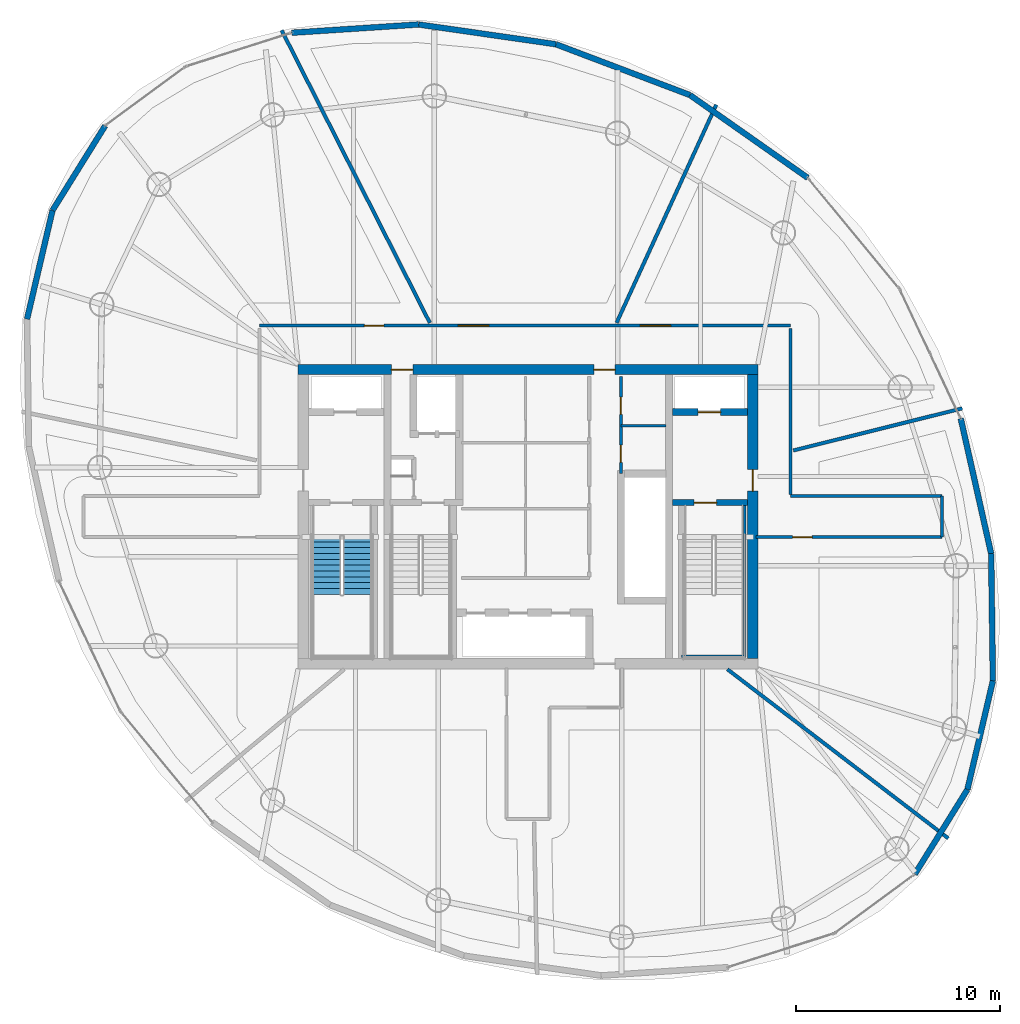
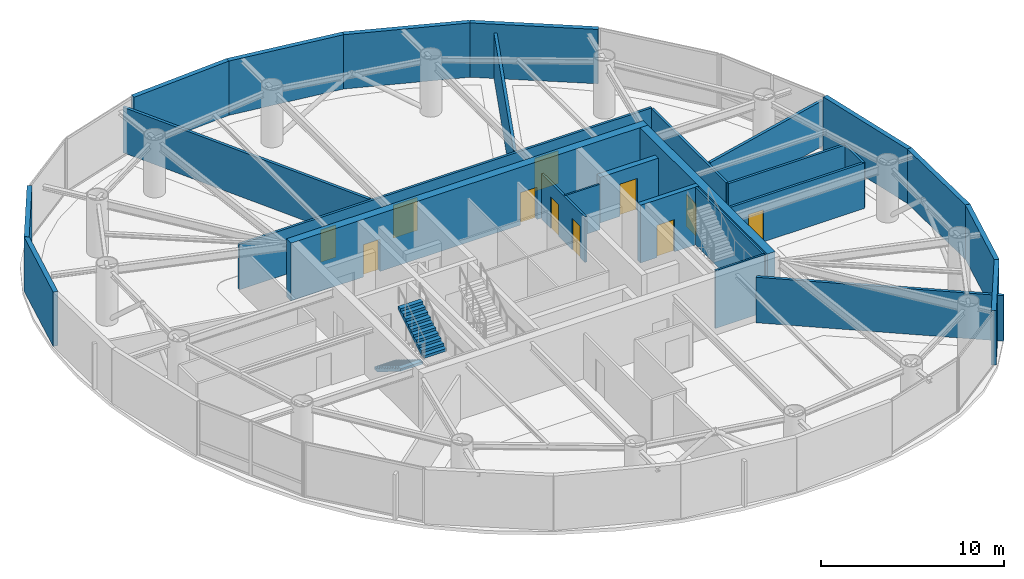
# One storey, part 15 of 20: 27 walls, 11 doors, 2 stair flights, 11 openings, 1 element without a shape of its own.
"""IFC4 building model written with IfcOpenShell, lengths in metres."""

from ifc_helpers import new_model, si_unit, direction, frame, frame_2d, origin, place, context, subcontext, project, spatial, polyline, rectangle, outline, extrude, material, layer, layer_set, type_object, element, fill, aggregate, save


model = new_model("IFC4")

# Units and contexts
model_context = context("Model", 3, precision=1e-05, world=origin(), true_north=direction((0.0, 1.0)))
body_context = subcontext(model_context, "Body", "Model", "MODEL_VIEW")
ifc_project = project(units=[si_unit("LENGTHUNIT", "METRE"), si_unit("AREAUNIT", "SQUARE_METRE"), si_unit("VOLUMEUNIT", "CUBIC_METRE"), si_unit("PLANEANGLEUNIT", "RADIAN"), si_unit("MASSUNIT", "GRAM", prefix="KILO")], contexts=[model_context])

# Site, building, storey
site_placement = place(None, origin())
site = spatial("IfcSite", under=ifc_project, at=site_placement, CompositionType="ELEMENT")
building_placement = place(site_placement, origin())
building = spatial("IfcBuilding", under=site, at=building_placement, Name="Bramvorn Convention Spire", CompositionType="ELEMENT")
storey_placement = place(building_placement, frame((0.0, 0.0, 202.0)))
storey = spatial("IfcBuildingStorey", under=building, at=storey_placement, Name="L51", CompositionType="ELEMENT", Elevation=202.0)

# Wall, openings, doors
ifc_material_1 = material(Name="Concrete C50/60", Category="concrete")
ifc_layer_1 = layer(ifc_material_1, 0.5)
ifc_layer_set_1 = layer_set([ifc_layer_1], Name="Concrete C50/60 - WL-CORE-500")
wall_type_1 = type_object("IfcWallType", Name="WL-CORE-500", PredefinedType="SHEAR", material=ifc_layer_set_1)
wall_1_placement = place(storey_placement, frame((26.75, 33.199951171875, 0.0), z_axis=(0.0, 0.0, 1.0), x_axis=(1.0, 0.0, 0.0)))
wall_1 = element("IfcWall", 1, at=wall_1_placement, inside=storey, type_object=wall_type_1, Name="L51 North RC core shear wall", PredefinedType="SHEAR", context=body_context, shape_type="SweptSolid", body=[
    extrude(rectangle(XDim=22.5, YDim=0.5, at=frame_2d((11.25, 0.0))), origin(), (0.0, 0.0, 1.0), 3.85009765625),
])
opening_1_placement = place(wall_1_placement, frame((4.570068359375, 0.0, 0.0)))
opening_1 = element("IfcOpeningElement", 2, at=opening_1_placement, cuts=wall_1, Name="Opening DL-105", PredefinedType="OPENING", context=body_context, shape_type="SweptSolid", body=[
    extrude(rectangle(XDim=1.050048828125, YDim=2.14990234375, at=frame_2d((0.52490234375, 1.074951171875))), frame((0.0, 0.260009765625, 0.0), z_axis=(0.0, -1.0, 0.0), x_axis=(1.0, 0.0, 0.0)), (0.0, 0.0, 1.0), 0.52001953125),
])
opening_2_placement = place(wall_1_placement, frame((14.469970703125, 0.0, 0.0)))
opening_2 = element("IfcOpeningElement", 3, at=opening_2_placement, cuts=wall_1, Name="Opening DL-105", PredefinedType="OPENING", context=body_context, shape_type="SweptSolid", body=[
    extrude(rectangle(XDim=1.050048828125, YDim=2.14990234375, at=frame_2d((0.52490234375, 1.074951171875))), frame((0.0, 0.260009765625, 0.0), z_axis=(0.0, -1.0, 0.0), x_axis=(1.0, 0.0, 0.0)), (0.0, 0.0, 1.0), 0.52001953125),
])
ifc_material_2 = material(Name="Smoke-Sealed Fire Lobby Timber-Core Door", Category="wood")
door_type_1 = type_object("IfcDoorType", Name="DR-LOBBY-1050", OperationType="NOTDEFINED", PredefinedType="DOOR", material=ifc_material_2)
door_1_placement = place(opening_1_placement, origin())
door_1 = element("IfcDoor", 4, at=door_1_placement, inside=storey, type_object=door_type_1, Name="L51 Service & Stair ST3 Lobby north corridor door", OperationType="SINGLE_SWING_LEFT", OverallHeight=2.14990234375, OverallWidth=1.050048828125, PredefinedType="DOOR", context=body_context, shape_type="SweptSolid", body=[
    extrude(rectangle(XDim=1.050048828125, YDim=2.14990234375, at=frame_2d((0.52490234375, 1.074951171875))), frame((0.0, 0.02490234375, 0.0), z_axis=(0.0, -1.0, 0.0), x_axis=(1.0, 0.0, 0.0)), (0.0, 0.0, 1.0), 0.050048828125),
])
fill(opening_1, door_1)
door_2_placement = place(opening_2_placement, origin())
door_2 = element("IfcDoor", 5, at=door_2_placement, inside=storey, type_object=door_type_1, Name="L51 North Lift Lobby fire door", OperationType="SINGLE_SWING_LEFT", OverallHeight=2.14990234375, OverallWidth=1.050048828125, PredefinedType="DOOR", context=body_context, shape_type="SweptSolid", body=[
    extrude(rectangle(XDim=1.050048828125, YDim=2.14990234375, at=frame_2d((0.52490234375, 1.074951171875))), frame((0.0, 0.02490234375, 0.0), z_axis=(0.0, -1.0, 0.0), x_axis=(1.0, 0.0, 0.0)), (0.0, 0.0, 1.0), 0.050048828125),
])
fill(opening_2, door_2)

# Wall, opening, door
wall_2_placement = place(storey_placement, frame((49.0, 19.050048828125, 0.0), z_axis=(0.0, 0.0, 1.0), x_axis=(0.0, 1.0, 0.0)))
wall_2 = element("IfcWall", 6, at=wall_2_placement, inside=storey, type_object=wall_type_1, Name="L51 East RC core shear wall", PredefinedType="SHEAR", context=body_context, shape_type="SweptSolid", body=[
    extrude(rectangle(XDim=13.89990234375, YDim=0.5, at=frame_2d((6.949951171875, 0.0))), origin(), (0.0, 0.0, 1.0), 3.85009765625),
])
opening_3_placement = place(wall_2_placement, frame((8.199951171875, 0.0, 0.0)))
opening_3 = element("IfcOpeningElement", 7, at=opening_3_placement, cuts=wall_2, Name="Opening DL-105", PredefinedType="OPENING", context=body_context, shape_type="SweptSolid", body=[
    extrude(rectangle(XDim=1.050048828125, YDim=2.14990234375, at=frame_2d((0.52490234375, 1.074951171875))), frame((0.0, 0.260009765625, 0.0), z_axis=(0.0, -1.0, 0.0), x_axis=(1.0, 0.0, 0.0)), (0.0, 0.0, 1.0), 0.52001953125),
])
door_3_placement = place(opening_3_placement, origin())
door_3 = element("IfcDoor", 8, at=door_3_placement, inside=storey, type_object=door_type_1, Name="L51 East Firefighting Lobby corridor door", OperationType="SINGLE_SWING_LEFT", OverallHeight=2.14990234375, OverallWidth=1.050048828125, PredefinedType="DOOR", context=body_context, shape_type="SweptSolid", body=[
    extrude(rectangle(XDim=1.050048828125, YDim=2.14990234375, at=frame_2d((0.52490234375, 1.074951171875))), frame((0.0, 0.02490234375, 0.0), z_axis=(0.0, -1.0, 0.0), x_axis=(1.0, 0.0, 0.0)), (0.0, 0.0, 1.0), 0.050048828125),
])
fill(opening_3, door_3)

ifc_layer_2 = layer(ifc_material_1, 0.35009765625)
ifc_layer_set_2 = layer_set([ifc_layer_2], Name="Concrete C50/60 - WL-CORE-INT-350")
wall_type_2 = type_object("IfcWallType", Name="WL-CORE-INT-350", PredefinedType="SHEAR", material=ifc_layer_set_2)
wall_3_placement = place(storey_placement, frame((45.080078125, 31.1201171875, 0.0), z_axis=(0.0, 0.0, 1.0), x_axis=(1.0, 0.0, 0.0)))
wall_3 = element("IfcWall", 9, at=wall_3_placement, inside=storey, type_object=wall_type_2, Name="L51 FE2 shaft front wall", PredefinedType="SHEAR", context=body_context, shape_type="SweptSolid", body=[
    extrude(rectangle(XDim=3.669921875, YDim=0.35009765625, at=frame_2d((1.8349609375, 0.0))), origin(), (0.0, 0.0, 1.0), 3.034912109375),
])
opening_4_placement = place(wall_3_placement, frame((1.25, 0.0, 0.0)))
opening_4 = element("IfcOpeningElement", 10, at=opening_4_placement, cuts=wall_3, Name="Opening LD-110", PredefinedType="OPENING", context=body_context, shape_type="SweptSolid", body=[
    extrude(rectangle(XDim=1.10009765625, YDim=2.14990234375, at=frame_2d((0.550048828125, 1.074951171875))), frame((0.0, 0.18505859375, 0.0), z_axis=(0.0, -1.0, 0.0), x_axis=(1.0, 0.0, 0.0)), (0.0, 0.0, 1.0), 0.3701171875),
])
ifc_material_3 = material(Name="Firefighting & Service Lift Sliding Landing Door", Category="steel")
door_type_2 = type_object("IfcDoorType", Name="DR-LIFT-LD-1100", OperationType="NOTDEFINED", PredefinedType="DOOR", material=ifc_material_3)
door_4_placement = place(opening_4_placement, origin())
door_4 = element("IfcDoor", 11, at=door_4_placement, inside=storey, type_object=door_type_2, Name="L51 Lift FE2 Sliding Landing Door", OperationType="SLIDING_TO_LEFT", OverallHeight=2.14990234375, OverallWidth=1.10009765625, PredefinedType="DOOR", context=body_context, shape_type="SweptSolid", body=[
    extrude(rectangle(XDim=1.10009765625, YDim=2.14990234375, at=frame_2d((0.550048828125, 1.074951171875))), frame((0.0, 0.02490234375, 0.0), z_axis=(0.0, -1.0, 0.0), x_axis=(1.0, 0.0, 0.0)), (0.0, 0.0, 1.0), 0.050048828125),
])
fill(opening_4, door_4)

# Walls
ifc_material_4 = material(Name="Precast Concrete C40/50 with Bronze Terracotta Rainscreen", Category="masonry")
ifc_layer_3 = layer(ifc_material_4, 0.300048828125)
ifc_layer_set_3 = layer_set([ifc_layer_3], Name="Precast Concrete C40/50 with Bronze Terracotta Rainscreen - WL-EXT-BRONZE-300")
wall_type_3 = type_object("IfcWallType", Name="WL-EXT-BRONZE-300", PredefinedType="SOLIDWALL", material=ifc_layer_set_3)
wall_4_placement = place(storey_placement, frame((59.50634765625, 12.64111328125, 0.0), z_axis=(0.0, 0.0, 1.0), x_axis=(-0.528161516042, -0.849143929479, 0.0)))
element("IfcWall", 12, at=wall_4_placement, inside=storey, type_object=wall_type_3, Name="L51 expressed bronze Gothic lancet pier wall 01", PredefinedType="SOLIDWALL", context=body_context, shape_type="SweptSolid", body=[
    extrude(rectangle(XDim=4.876220703125, YDim=0.280029296875, at=frame_2d((2.43798828125, 0.0))), origin(), (0.0, 0.0, 1.0), 3.6201171875),
])
wall_5_placement = place(storey_placement, frame((60.75390625, 17.961181640625, 0.0), z_axis=(0.0, 0.0, 1.0), x_axis=(-0.228307127512, -0.97358916157, 0.0)))
element("IfcWall", 13, at=wall_5_placement, inside=storey, type_object=wall_type_3, Name="L51 expressed bronze Gothic lancet pier wall 02", PredefinedType="SOLIDWALL", context=body_context, shape_type="SweptSolid", body=[
    extrude(rectangle(XDim=5.46435546875, YDim=0.280029296875, at=frame_2d((2.732177734375, 0.0))), origin(), (0.0, 0.0, 1.0), 3.6201171875),
])
wall_6_placement = place(storey_placement, frame((60.670166015625, 24.187255859375, 0.0), z_axis=(0.0, 0.0, 1.0), x_axis=(0.013448709112, -0.999909562022, 0.0)))
element("IfcWall", 14, at=wall_6_placement, inside=storey, type_object=wall_type_3, Name="L51 expressed bronze Gothic lancet pier wall 03", PredefinedType="SOLIDWALL", context=body_context, shape_type="SweptSolid", body=[
    extrude(rectangle(XDim=6.2265625, YDim=0.280029296875, at=frame_2d((3.11328125, 0.0))), origin(), (0.0, 0.0, 1.0), 3.6201171875),
])
wall_7_placement = place(storey_placement, frame((59.178955078125, 30.805908203125, 0.0), z_axis=(0.0, 0.0, 1.0), x_axis=(0.219794754914, -0.975546137152, 0.0)))
element("IfcWall", 15, at=wall_7_placement, inside=storey, type_object=wall_type_3, Name="L51 expressed bronze Gothic lancet pier wall 04", PredefinedType="SOLIDWALL", context=body_context, shape_type="SweptSolid", body=[
    extrude(rectangle(XDim=6.78466796875, YDim=0.280029296875, at=frame_2d((3.392333984375, 0.0))), origin(), (0.0, 0.0, 1.0), 3.6201171875),
])
wall_8_placement = place(storey_placement, frame((45.928955078125, 46.63232421875, 0.0), z_axis=(0.0, 0.0, 1.0), x_axis=(0.818111945774, -0.575058991915, 0.0)))
element("IfcWall", 16, at=wall_8_placement, inside=storey, type_object=wall_type_3, Name="L51 expressed bronze Gothic lancet pier wall 07", PredefinedType="SOLIDWALL", context=body_context, shape_type="SweptSolid", body=[
    extrude(rectangle(XDim=7.04541015625, YDim=0.280029296875, at=frame_2d((3.522705078125, 0.0))), origin(), (0.0, 0.0, 1.0), 3.6201171875),
])
wall_9_placement = place(storey_placement, frame((39.366943359375, 49.119873046875, 0.0), z_axis=(0.0, 0.0, 1.0), x_axis=(0.935067918336, -0.354468599595, 0.0)))
element("IfcWall", 17, at=wall_9_placement, inside=storey, type_object=wall_type_3, Name="L51 expressed bronze Gothic lancet pier wall 08", PredefinedType="SOLIDWALL", context=body_context, shape_type="SweptSolid", body=[
    extrude(rectangle(XDim=7.017578125, YDim=0.280029296875, at=frame_2d((3.5087890625, 0.0))), origin(), (0.0, 0.0, 1.0), 3.6201171875),
])
wall_10_placement = place(storey_placement, frame((32.651611328125, 50.087158203125, 0.0), z_axis=(0.0, 0.0, 1.0), x_axis=(0.989784738796, -0.142569880575, 0.0)))
element("IfcWall", 18, at=wall_10_placement, inside=storey, type_object=wall_type_3, Name="L51 expressed bronze Gothic lancet pier wall 09", PredefinedType="SOLIDWALL", context=body_context, shape_type="SweptSolid", body=[
    extrude(rectangle(XDim=6.78466796875, YDim=0.280029296875, at=frame_2d((3.392333984375, 0.0))), origin(), (0.0, 0.0, 1.0), 3.6201171875),
])
wall_11_placement = place(storey_placement, frame((26.4384765625, 49.68212890625, 0.0), z_axis=(0.0, 0.0, 1.0), x_axis=(0.997881932346, 0.065051126793, 0.0)))
element("IfcWall", 19, at=wall_11_placement, inside=storey, type_object=wall_type_3, Name="L51 expressed bronze Gothic lancet pier wall 10", PredefinedType="SOLIDWALL", context=body_context, shape_type="SweptSolid", body=[
    extrude(rectangle(XDim=6.226318359375, YDim=0.280029296875, at=frame_2d((3.11328125, 0.0))), origin(), (0.0, 0.0, 1.0), 3.6201171875),
])
wall_12_placement = place(storey_placement, frame((14.731201171875, 40.988037109375, 0.0), z_axis=(0.0, 0.0, 1.0), x_axis=(0.528197615515, 0.849121474799, 0.0)))
element("IfcWall", 20, at=wall_12_placement, inside=storey, type_object=wall_type_3, Name="L51 expressed bronze Gothic lancet pier wall 13", PredefinedType="SOLIDWALL", context=body_context, shape_type="SweptSolid", body=[
    extrude(rectangle(XDim=4.87646484375, YDim=0.280029296875, at=frame_2d((2.438232421875, 0.0))), origin(), (0.0, 0.0, 1.0), 3.6201171875),
])
wall_13_placement = place(storey_placement, frame((13.483642578125, 35.667724609375, 0.0), z_axis=(0.0, 0.0, 1.0), x_axis=(0.228297196915, 0.973591490247, 0.0)))
element("IfcWall", 21, at=wall_13_placement, inside=storey, type_object=wall_type_3, Name="L51 expressed bronze Gothic lancet pier wall 14", PredefinedType="SOLIDWALL", context=body_context, shape_type="SweptSolid", body=[
    extrude(rectangle(XDim=5.464599609375, YDim=0.280029296875, at=frame_2d((2.732421875, 0.0))), origin(), (0.0, 0.0, 1.0), 3.6201171875),
])
ifc_material_5 = material(Name="Lightweight En-Suite & Wet-Wall Partition", Category="gypsum")
ifc_layer_4 = layer(ifc_material_5, 0.110107421875)
ifc_layer_set_4 = layer_set([ifc_layer_4], Name="Lightweight En-Suite & Wet-Wall Partition - WL-PART-110")
wall_type_4 = type_object("IfcWallType", Name="WL-PART-110", PredefinedType="PARTITIONING", material=ifc_layer_set_4)
wall_14_placement = place(storey_placement, frame((42.550048828125, 30.449951171875, 0.0), z_axis=(0.0, 0.0, 1.0), x_axis=(1.0, 0.0, 0.0)))
element("IfcWall", 22, at=wall_14_placement, inside=storey, type_object=wall_type_4, Name="L51 KB NE divider", PredefinedType="PARTITIONING", context=body_context, shape_type="SweptSolid", body=[
    extrude(rectangle(XDim=2.199951171875, YDim=0.110107421875, at=frame_2d((1.10009765625, 0.0))), origin(), (0.0, 0.0, 1.0), 3.034912109375),
])

# Wall, openings, doors
ifc_material_6 = material(Name="Metal-Stud Demountable Office Partition", Category="gypsum")
ifc_layer_5 = layer(ifc_material_6, 0.1298828125)
ifc_layer_set_5 = layer_set([ifc_layer_5], Name="Metal-Stud Demountable Office Partition - WL-PART-130")
wall_type_5 = type_object("IfcWallType", Name="WL-PART-130", PredefinedType="PARTITIONING", material=ifc_layer_set_5)
wall_15_placement = place(storey_placement, frame((42.550048828125, 28.10009765625, 0.0), z_axis=(0.0, 0.0, 1.0), x_axis=(0.0, 1.0, 0.0)))
wall_15 = element("IfcWall", 23, at=wall_15_placement, inside=storey, type_object=wall_type_5, Name="L51 KB NE split wall", PredefinedType="PARTITIONING", context=body_context, shape_type="SweptSolid", body=[
    extrude(rectangle(XDim=4.75, YDim=0.1298828125, at=frame_2d((2.375, 0.0))), origin(), (0.0, 0.0, 1.0), 3.034912109375),
])
opening_5_placement = place(wall_15_placement, frame((0.550048828125, 0.0, 0.0)))
opening_5 = element("IfcOpeningElement", 24, at=opening_5_placement, cuts=wall_15, Name="Opening DC-085", PredefinedType="OPENING", context=body_context, shape_type="SweptSolid", body=[
    extrude(rectangle(XDim=0.85009765625, YDim=2.10009765625, at=frame_2d((0.425048828125, 1.050048828125))), frame((0.0, 0.074951171875, 0.0), z_axis=(0.0, -1.0, 0.0), x_axis=(1.0, 0.0, 0.0)), (0.0, 0.0, 1.0), 0.14990234375),
])
opening_6_placement = place(wall_15_placement, frame((2.89990234375, 0.0, 0.0)))
opening_6 = element("IfcOpeningElement", 25, at=opening_6_placement, cuts=wall_15, Name="Opening DC-085", PredefinedType="OPENING", context=body_context, shape_type="SweptSolid", body=[
    extrude(rectangle(XDim=0.85009765625, YDim=2.10009765625, at=frame_2d((0.425048828125, 1.050048828125))), frame((0.0, 0.074951171875, 0.0), z_axis=(0.0, -1.0, 0.0), x_axis=(1.0, 0.0, 0.0)), (0.0, 0.0, 1.0), 0.14990234375),
])
ifc_material_7 = material(Name="Fire-Rated Core Washroom & IDF Door", Category="wood")
door_type_3 = type_object("IfcDoorType", Name="DR-CORE-850", OperationType="NOTDEFINED", PredefinedType="DOOR", material=ifc_material_7)
door_5_placement = place(opening_5_placement, origin())
door_5 = element("IfcDoor", 26, at=door_5_placement, inside=storey, type_object=door_type_3, Name="L51 Core Staff WC door", OperationType="SINGLE_SWING_LEFT", OverallHeight=2.10009765625, OverallWidth=0.85009765625, PredefinedType="DOOR", context=body_context, shape_type="SweptSolid", body=[
    extrude(rectangle(XDim=0.85009765625, YDim=2.10009765625, at=frame_2d((0.425048828125, 1.050048828125))), frame((0.0, 0.02490234375, 0.0), z_axis=(0.0, -1.0, 0.0), x_axis=(1.0, 0.0, 0.0)), (0.0, 0.0, 1.0), 0.050048828125),
])
fill(opening_5, door_5)
door_6_placement = place(opening_6_placement, origin())
door_6 = element("IfcDoor", 27, at=door_6_placement, inside=storey, type_object=door_type_3, Name="L51 Core Data Closet door", OperationType="SINGLE_SWING_LEFT", OverallHeight=2.10009765625, OverallWidth=0.85009765625, PredefinedType="DOOR", context=body_context, shape_type="SweptSolid", body=[
    extrude(rectangle(XDim=0.85009765625, YDim=2.10009765625, at=frame_2d((0.425048828125, 1.050048828125))), frame((0.0, 0.02490234375, 0.0), z_axis=(0.0, -1.0, 0.0), x_axis=(1.0, 0.0, 0.0)), (0.0, 0.0, 1.0), 0.050048828125),
])
fill(opening_6, door_6)

ifc_material_8 = material(Name="Acoustic Metal-Stud Tenant/Corridor Partition", Category="gypsum")
ifc_layer_6 = layer(ifc_material_8, 0.14990234375)
ifc_layer_set_6 = layer_set([ifc_layer_6], Name="Acoustic Metal-Stud Tenant/Corridor Partition - WL-PART-150")
wall_type_6 = type_object("IfcWallType", Name="WL-PART-150", PredefinedType="PARTITIONING", material=ifc_layer_set_6)
wall_16_placement = place(storey_placement, frame((24.85009765625, 35.35009765625, 0.0), z_axis=(0.0, 0.0, 1.0), x_axis=(1.0, 0.0, 0.0)))
wall_16 = element("IfcWall", 28, at=wall_16_placement, inside=storey, type_object=wall_type_6, Name="L51 North gallery wall", PredefinedType="PARTITIONING", context=body_context, shape_type="SweptSolid", body=[
    extrude(rectangle(XDim=26.0, YDim=0.14990234375, at=frame_2d((13.0, 0.0))), origin(), (0.0, 0.0, 1.0), 3.034912109375),
])
opening_7_placement = place(wall_16_placement, frame((18.6376953125, 0.0, 0.0)))
opening_7 = element("IfcOpeningElement", 29, at=opening_7_placement, cuts=wall_16, Name="Opening DC-150", PredefinedType="OPENING", context=body_context, shape_type="SweptSolid", body=[
    extrude(rectangle(XDim=1.5, YDim=2.199951171875, at=frame_2d((0.75, 1.10009765625))), frame((0.0, 0.0849609375, 0.0), z_axis=(0.0, -1.0, 0.0), x_axis=(1.0, 0.0, 0.0)), (0.0, 0.0, 1.0), 0.169921875),
])
opening_8_placement = place(wall_16_placement, frame((9.73681640625, 0.0, 0.0)))
opening_8 = element("IfcOpeningElement", 30, at=opening_8_placement, cuts=wall_16, Name="Opening DC-150", PredefinedType="OPENING", context=body_context, shape_type="SweptSolid", body=[
    extrude(rectangle(XDim=1.5, YDim=2.199951171875, at=frame_2d((0.75, 1.10009765625))), frame((0.0, 0.0849609375, 0.0), z_axis=(0.0, -1.0, 0.0), x_axis=(1.0, 0.0, 0.0)), (0.0, 0.0, 1.0), 0.169921875),
])
opening_9_placement = place(wall_16_placement, frame((5.148193359375, 0.0, 0.0)))
opening_9 = element("IfcOpeningElement", 31, at=opening_9_placement, cuts=wall_16, Name="Opening DH-095", PredefinedType="OPENING", context=body_context, shape_type="SweptSolid", body=[
    extrude(rectangle(XDim=0.949951171875, YDim=2.14990234375, at=frame_2d((0.47509765625, 1.074951171875))), frame((0.0, 0.0849609375, 0.0), z_axis=(0.0, -1.0, 0.0), x_axis=(1.0, 0.0, 0.0)), (0.0, 0.0, 1.0), 0.169921875),
])
ifc_material_9 = material(Name="Double-Leaf Smoke-Control Corridor Door", Category="wood")
door_type_4 = type_object("IfcDoorType", Name="DR-COR-1500", OperationType="NOTDEFINED", PredefinedType="DOOR", material=ifc_material_9)
door_7_placement = place(opening_7_placement, origin())
door_7 = element("IfcDoor", 32, at=door_7_placement, inside=storey, type_object=door_type_4, Name="L51 Executive Dining Salon 1 1 door", OperationType="DOUBLE_DOOR_SINGLE_SWING", OverallHeight=2.199951171875, OverallWidth=1.5, PredefinedType="DOOR", context=body_context, shape_type="SweptSolid", body=[
    extrude(rectangle(XDim=1.5, YDim=2.199951171875, at=frame_2d((0.75, 1.10009765625))), frame((0.0, 0.02490234375, 0.0), z_axis=(0.0, -1.0, 0.0), x_axis=(1.0, 0.0, 0.0)), (0.0, 0.0, 1.0), 0.050048828125),
])
fill(opening_7, door_7)
door_8_placement = place(opening_8_placement, origin())
door_8 = element("IfcDoor", 33, at=door_8_placement, inside=storey, type_object=door_type_4, Name="L51 Executive Dining Salon 2 2 door", OperationType="DOUBLE_DOOR_SINGLE_SWING", OverallHeight=2.199951171875, OverallWidth=1.5, PredefinedType="DOOR", context=body_context, shape_type="SweptSolid", body=[
    extrude(rectangle(XDim=1.5, YDim=2.199951171875, at=frame_2d((0.75, 1.10009765625))), frame((0.0, 0.02490234375, 0.0), z_axis=(0.0, -1.0, 0.0), x_axis=(1.0, 0.0, 0.0)), (0.0, 0.0, 1.0), 0.050048828125),
])
fill(opening_8, door_8)
ifc_material_10 = material(Name="Solid-Core Acoustic Guestroom Entry Door", Category="wood")
door_type_5 = type_object("IfcDoorType", Name="DR-HOTEL-950", OperationType="NOTDEFINED", PredefinedType="DOOR", material=ifc_material_10)
door_9_placement = place(opening_9_placement, origin())
door_9 = element("IfcDoor", 34, at=door_9_placement, inside=storey, type_object=door_type_5, Name="L51 Butler Catering Kitchen 3 door", OperationType="SINGLE_SWING_RIGHT", OverallHeight=2.14990234375, OverallWidth=0.949951171875, PredefinedType="DOOR", context=body_context, shape_type="SweptSolid", body=[
    extrude(rectangle(XDim=0.949951171875, YDim=2.14990234375, at=frame_2d((0.47509765625, 1.074951171875))), frame((0.0, 0.02490234375, 0.0), z_axis=(0.0, -1.0, 0.0), x_axis=(1.0, 0.0, 0.0)), (0.0, 0.0, 1.0), 0.050048828125),
])
fill(opening_9, door_9)

# Walls
wall_17_placement = place(storey_placement, frame((50.85009765625, 27.080078125, 0.0), z_axis=(0.0, 0.0, 1.0), x_axis=(0.0, 1.0, 0.0)))
element("IfcWall", 35, at=wall_17_placement, inside=storey, type_object=wall_type_6, Name="L51 NE gallery cheek", PredefinedType="PARTITIONING", context=body_context, shape_type="SweptSolid", body=[
    extrude(rectangle(XDim=8.119873046875, YDim=0.14990234375, at=frame_2d((4.06005859375, 0.0))), origin(), (0.0, 0.0, 1.0), 3.034912109375),
])
wall_18_placement = place(storey_placement, frame((50.85009765625, 27.0, 0.0), z_axis=(0.0, 0.0, 1.0), x_axis=(1.0, 0.0, 0.0)))
element("IfcWall", 36, at=wall_18_placement, inside=storey, type_object=wall_type_6, Name="L51 East wing spine north wall", PredefinedType="PARTITIONING", context=body_context, shape_type="SweptSolid", body=[
    extrude(rectangle(XDim=7.4091796875, YDim=0.14990234375, at=frame_2d((3.70458984375, 0.0))), origin(), (0.0, 0.0, 1.0), 3.034912109375),
])

# Wall, opening, door
wall_19_placement = place(storey_placement, frame((49.14990234375, 25.0, 0.0), z_axis=(0.0, 0.0, 1.0), x_axis=(1.0, 0.0, 0.0)))
wall_19 = element("IfcWall", 37, at=wall_19_placement, inside=storey, type_object=wall_type_6, Name="L51 East wing spine south wall", PredefinedType="PARTITIONING", context=body_context, shape_type="SweptSolid", body=[
    extrude(rectangle(XDim=9.109375, YDim=0.14990234375, at=frame_2d((4.5546875, 0.0))), origin(), (0.0, 0.0, 1.0), 3.034912109375),
])
opening_10_placement = place(wall_19_placement, frame((1.80224609375, 0.0, 0.0)))
opening_10 = element("IfcOpeningElement", 38, at=opening_10_placement, cuts=wall_19, Name="Opening DH-095", PredefinedType="OPENING", context=body_context, shape_type="SweptSolid", body=[
    extrude(rectangle(XDim=0.949951171875, YDim=2.14990234375, at=frame_2d((0.47509765625, 1.074951171875))), frame((0.0, 0.0849609375, 0.0), z_axis=(0.0, -1.0, 0.0), x_axis=(1.0, 0.0, 0.0)), (0.0, 0.0, 1.0), 0.169921875),
])
door_10_placement = place(opening_10_placement, origin())
door_10 = element("IfcDoor", 39, at=door_10_placement, inside=storey, type_object=door_type_5, Name="L51 Executive Strategy Suite 7 door", OperationType="SINGLE_SWING_LEFT", OverallHeight=2.14990234375, OverallWidth=0.949951171875, PredefinedType="DOOR", context=body_context, shape_type="SweptSolid", body=[
    extrude(rectangle(XDim=0.949951171875, YDim=2.14990234375, at=frame_2d((0.47509765625, 1.074951171875))), frame((0.0, 0.02490234375, 0.0), z_axis=(0.0, -1.0, 0.0), x_axis=(1.0, 0.0, 0.0)), (0.0, 0.0, 1.0), 0.050048828125),
])
fill(opening_10, door_10)

# Walls
wall_20_placement = place(storey_placement, frame((58.25927734375, 25.0, 0.0), z_axis=(0.0, 0.0, 1.0), x_axis=(0.0, 1.0, 0.0)))
element("IfcWall", 40, at=wall_20_placement, inside=storey, type_object=wall_type_6, Name="L51 East wing spine end wall", PredefinedType="PARTITIONING", context=body_context, shape_type="SweptSolid", body=[
    extrude(rectangle(XDim=2.0, YDim=0.14990234375, at=frame_2d((1.0, 0.0))), origin(), (0.0, 0.0, 1.0), 3.034912109375),
])
ifc_material_11 = material(Name="Double-Stud Acoustic Hotel/Suite Partition", Category="gypsum")
ifc_layer_7 = layer(ifc_material_11, 0.175048828125)
ifc_layer_set_7 = layer_set([ifc_layer_7], Name="Double-Stud Acoustic Hotel/Suite Partition - WL-PART-175")
wall_type_7 = type_object("IfcWallType", Name="WL-PART-175", PredefinedType="PARTITIONING", material=ifc_layer_set_7)
wall_21_placement = place(storey_placement, frame((50.989990234375, 29.23876953125, 0.0), z_axis=(0.0, 0.0, 1.0), x_axis=(0.970292315067, 0.241935576803, 0.0)))
element("IfcWall", 41, at=wall_21_placement, inside=storey, type_object=wall_type_7, Name="L51 Tenant suite partition 1", PredefinedType="PARTITIONING", context=body_context, shape_type="SweptSolid", body=[
    extrude(rectangle(XDim=8.52099609375, YDim=0.175048828125, at=frame_2d((4.260498046875, 0.0))), origin(), (0.0, 0.0, 1.0), 3.034912109375),
])
wall_22_placement = place(storey_placement, frame((42.339111328125, 35.489990234375, 0.0), z_axis=(0.0, 0.0, 1.0), x_axis=(0.415830571433, 0.909442101434, 0.0)))
element("IfcWall", 42, at=wall_22_placement, inside=storey, type_object=wall_type_7, Name="L51 Tenant suite partition 2", PredefinedType="PARTITIONING", context=body_context, shape_type="SweptSolid", body=[
    extrude(rectangle(XDim=11.73291015625, YDim=0.175048828125, at=frame_2d((5.866455078125, 0.0))), origin(), (0.0, 0.0, 1.0), 3.034912109375),
])
wall_23_placement = place(storey_placement, frame((33.1943359375, 35.489990234375, 0.0), z_axis=(0.0, 0.0, 1.0), x_axis=(-0.451769726671, 0.892134582932, 0.0)))
element("IfcWall", 43, at=wall_23_placement, inside=storey, type_object=wall_type_7, Name="L51 Tenant suite partition 3", PredefinedType="PARTITIONING", context=body_context, shape_type="SweptSolid", body=[
    extrude(rectangle(XDim=16.054931640625, YDim=0.175048828125, at=frame_2d((8.02734375, 0.0))), origin(), (0.0, 0.0, 1.0), 3.034912109375),
])
wall_24_placement = place(storey_placement, frame((47.76025390625, 18.530029296875, 0.0), z_axis=(0.0, 0.0, 1.0), x_axis=(0.794115585975, -0.607766761276, 0.0)))
element("IfcWall", 44, at=wall_24_placement, inside=storey, type_object=wall_type_7, Name="L51 Tenant suite partition 7", PredefinedType="PARTITIONING", context=body_context, shape_type="SweptSolid", body=[
    extrude(rectangle(XDim=13.6201171875, YDim=0.175048828125, at=frame_2d((6.81005859375, 0.0))), origin(), (0.0, 0.0, 1.0), 3.034912109375),
])

# Wall, opening, door
ifc_layer_8 = layer(ifc_material_1, 0.300048828125)
ifc_layer_set_8 = layer_set([ifc_layer_8], Name="Concrete C50/60 - WL-POD-STAIR-300")
wall_type_8 = type_object("IfcWallType", Name="WL-POD-STAIR-300", PredefinedType="SHEAR", material=ifc_layer_set_8)
wall_25_placement = place(storey_placement, frame((45.080078125, 26.68994140625, 0.0), z_axis=(0.0, 0.0, 1.0), x_axis=(1.0, 0.0, 0.0)))
wall_25 = element("IfcWall", 45, at=wall_25_placement, inside=storey, type_object=wall_type_8, Name="L51 ST2 north fire wall", PredefinedType="SHEAR", context=body_context, shape_type="SweptSolid", body=[
    extrude(rectangle(XDim=3.669921875, YDim=0.300048828125, at=frame_2d((1.8349609375, 0.0))), origin(), (0.0, 0.0, 1.0), 3.85009765625),
])
opening_11_placement = place(wall_25_placement, frame((1.050048828125, 0.0, 0.0)))
opening_11 = element("IfcOpeningElement", 46, at=opening_11_placement, cuts=wall_25, Name="Opening DS-110", PredefinedType="OPENING", context=body_context, shape_type="SweptSolid", body=[
    extrude(rectangle(XDim=1.10009765625, YDim=2.14990234375, at=frame_2d((0.550048828125, 1.074951171875))), frame((0.0, 0.159912109375, 0.0), z_axis=(0.0, -1.0, 0.0), x_axis=(1.0, 0.0, 0.0)), (0.0, 0.0, 1.0), 0.320068359375),
])
ifc_material_12 = material(Name="Fire-Rated Hollow Steel Stairwell Door", Category="steel")
door_type_6 = type_object("IfcDoorType", Name="DR-STAIR-1100", OperationType="NOTDEFINED", PredefinedType="DOOR", material=ifc_material_12)
door_11_placement = place(opening_11_placement, origin())
door_11 = element("IfcDoor", 47, at=door_11_placement, inside=storey, type_object=door_type_6, Name="L51 Stair ST2 fire door", OperationType="SINGLE_SWING_RIGHT", OverallHeight=2.14990234375, OverallWidth=1.10009765625, PredefinedType="DOOR", context=body_context, shape_type="SweptSolid", body=[
    extrude(rectangle(XDim=1.10009765625, YDim=2.14990234375, at=frame_2d((0.550048828125, 1.074951171875))), frame((0.0, 0.02490234375, 0.0), z_axis=(0.0, -1.0, 0.0), x_axis=(1.0, 0.0, 0.0)), (0.0, 0.0, 1.0), 0.050048828125),
])
fill(opening_11, door_11)

# Walls
ifc_layer_9 = layer(ifc_material_1, 0.1201171875)
ifc_layer_set_9 = layer_set([ifc_layer_9], Name="Concrete C50/60 - WL-STAIR-RC-120")
wall_type_9 = type_object("IfcWallType", Name="WL-STAIR-RC-120", PredefinedType="SHEAR", material=ifc_layer_set_9)
wall_26_placement = place(storey_placement, frame((48.60498046875, 19.10009765625, 0.0), z_axis=(0.0, 0.0, 1.0), x_axis=(0.0, 1.0, 0.0)))
element("IfcWall", 48, at=wall_26_placement, inside=storey, type_object=wall_type_9, Name="L51 ST2 east bearing shear wall", PredefinedType="SHEAR", context=body_context, shape_type="SweptSolid", body=[
    extrude(rectangle(XDim=7.449951171875, YDim=0.1201171875, at=frame_2d((3.72509765625, 0.0))), origin(), (0.0, 0.0, 1.0), 3.85009765625),
])
wall_27_placement = place(storey_placement, frame((45.510009765625, 19.159912109375, 0.0), z_axis=(0.0, 0.0, 1.0), x_axis=(1.0, 0.0, 0.0)))
element("IfcWall", 49, at=wall_27_placement, inside=storey, type_object=wall_type_9, Name="L51 ST2 south bearing shear wall", PredefinedType="SHEAR", context=body_context, shape_type="SweptSolid", body=[
    extrude(rectangle(XDim=3.094970703125, YDim=0.1201171875, at=frame_2d((1.54736328125, 0.0))), origin(), (0.0, 0.0, 1.0), 3.85009765625),
])

# Stair, stair flights
ifc_material_13 = material(Name="Concrete C40/50 Precast Stair", Category="concrete")
stair_type = type_object("IfcStairType", Name="ST-TOWER-1550", PredefinedType="HALF_TURN_STAIR", material=ifc_material_13)
stair_placement = place(storey_placement, origin())
stair = element("IfcStair", 50, at=stair_placement, inside=storey, type_object=stair_type, Name="L51 Protected Exit Stair ST1", PredefinedType="HALF_TURN_STAIR")
ifc_material_14 = material(Name="Concrete C40/50 Precast Stair Flight", Category="concrete")
stair_flight_type = type_object("IfcStairFlightType", Name="STF-TOWER-1550", PredefinedType="STRAIGHT", material=ifc_material_14)
stair_flight_1_placement = place(storey_placement, frame((28.155029296875, 25.050048828125, 0.0), z_axis=(0.0, 0.0, 1.0), x_axis=(0.0, -1.0, 0.0)))
stair_flight_1 = element("IfcStairFlight", 51, at=stair_flight_1_placement, type_object=stair_flight_type, Name="ST1 flight 1", NumberOfRisers=11, NumberOfTreads=10, PredefinedType="STRAIGHT", RiserHeight=0.175, TreadLength=0.285, context=body_context, shape_type="SweptSolid", body=[
    extrude(outline(polyline([(0.0, 0.0), (0.0, 0.175048828125), (0.284912109375, 0.175048828125), (0.284912109375, 0.35009765625), (0.570068359375, 0.35009765625), (0.570068359375, 0.52490234375), (0.85498046875, 0.52490234375), (0.85498046875, 0.699951171875), (1.139892578125, 0.699951171875), (1.139892578125, 0.875), (1.425048828125, 0.875), (1.425048828125, 1.050048828125), (1.7099609375, 1.050048828125), (1.7099609375, 1.22509765625), (1.9951171875, 1.22509765625), (1.9951171875, 1.39990234375), (2.280029296875, 1.39990234375), (2.280029296875, 1.574951171875), (2.56494140625, 1.574951171875), (2.56494140625, 1.75), (2.85009765625, 1.75), (2.85009765625, 1.925048828125), (2.85009765625, 1.573974609375), (0.286376953125, 0.0), (0.0, 0.0)])), frame((0.0, 0.705078125, 0.0), z_axis=(0.0, -1.0, 0.0), x_axis=(1.0, 0.0, 0.0)), (0.0, 0.0, 1.0), 1.409912109375),
])
stair_flight_2_placement = place(storey_placement, frame((29.64501953125, 22.199951171875, 1.925048828125), z_axis=(0.0, 0.0, 1.0), x_axis=(0.0, 1.0, 0.0)))
stair_flight_2 = element("IfcStairFlight", 52, at=stair_flight_2_placement, type_object=stair_flight_type, Name="ST1 flight 2", NumberOfRisers=11, NumberOfTreads=10, PredefinedType="STRAIGHT", RiserHeight=0.175, TreadLength=0.285, context=body_context, shape_type="SweptSolid", body=[
    extrude(outline(polyline([(0.0, 0.0), (0.0, 0.175048828125), (0.284912109375, 0.175048828125), (0.284912109375, 0.35009765625), (0.570068359375, 0.35009765625), (0.570068359375, 0.52490234375), (0.85498046875, 0.52490234375), (0.85498046875, 0.699951171875), (1.139892578125, 0.699951171875), (1.139892578125, 0.875), (1.425048828125, 0.875), (1.425048828125, 1.050048828125), (1.7099609375, 1.050048828125), (1.7099609375, 1.22509765625), (1.9951171875, 1.22509765625), (1.9951171875, 1.39990234375), (2.280029296875, 1.39990234375), (2.280029296875, 1.574951171875), (2.56494140625, 1.574951171875), (2.56494140625, 1.75), (2.85009765625, 1.75), (2.85009765625, 1.925048828125), (2.85009765625, 1.573974609375), (0.286376953125, 0.0), (0.0, 0.0)])), frame((0.0, 0.705078125, 0.0), z_axis=(0.0, -1.0, 0.0), x_axis=(1.0, 0.0, 0.0)), (0.0, 0.0, 1.0), 1.409912109375),
])
aggregate(stair, [stair_flight_1, stair_flight_2])

save(model, "model.ifc")
